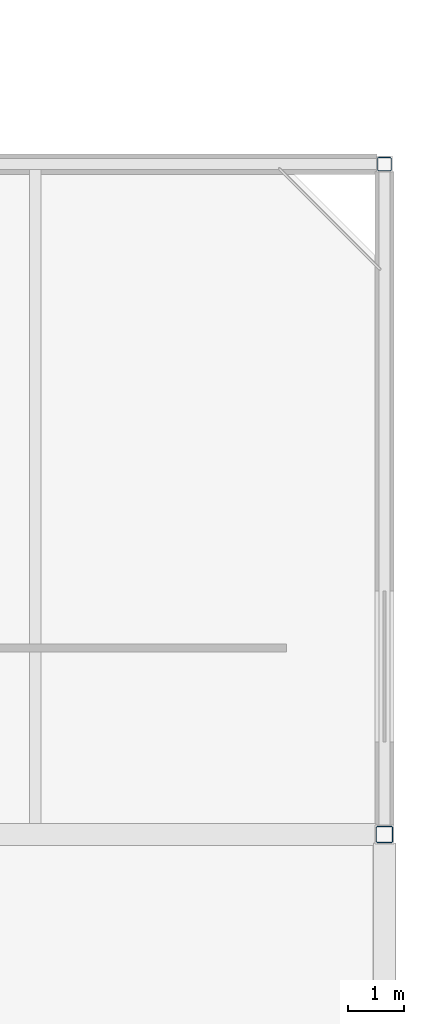
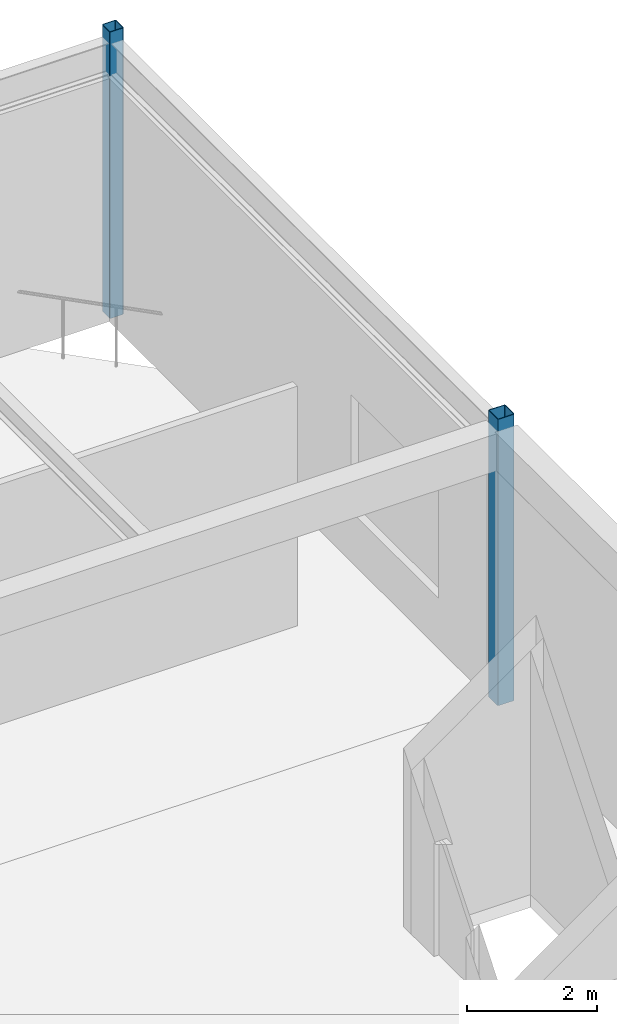
# One storey, part 25 of 105: 2 columns.
"""IFC4 building model written with IfcOpenShell, lengths in metres."""

from ifc_helpers import new_model, si_unit, direction, frame, origin, origin_2d, place, context, subcontext, project, spatial, hollow_rectangle, extrude, material, material_profile, profile_set, type_object, element, save


model = new_model("IFC4")

# Units and contexts
model_context = context("Model", 3, precision=1e-05, world=origin(), true_north=direction((0.0, 1.0)))
body_context = subcontext(model_context, "Body", "Model", "MODEL_VIEW")
ifc_project = project(units=[si_unit("LENGTHUNIT", "METRE"), si_unit("AREAUNIT", "SQUARE_METRE"), si_unit("VOLUMEUNIT", "CUBIC_METRE"), si_unit("PLANEANGLEUNIT", "RADIAN"), si_unit("MASSUNIT", "GRAM", prefix="KILO")], contexts=[model_context])

# Site, building, storey
site_placement = place(None, origin())
site = spatial("IfcSite", under=ifc_project, at=site_placement, CompositionType="ELEMENT")
building_placement = place(site_placement, origin())
building = spatial("IfcBuilding", under=site, at=building_placement, Name="Kazenohara Klinker Stadium", CompositionType="ELEMENT")
storey_placement = place(building_placement, frame((0.0, 0.0, 20.39990234375)))
storey = spatial("IfcBuildingStorey", under=building, at=storey_placement, Name="L04", CompositionType="ELEMENT", Elevation=20.39990234375)

# Columns
ifc_material = material(Name="Steel S355", Category="steel")
ifc_material_profile_1 = material_profile(ifc_material, hollow_rectangle(XDim=0.300048828125, YDim=0.300048828125, WallThickness=0.011962890625, InnerFilletRadius=0.011962890625, OuterFilletRadius=0.02392578125, at=origin_2d()), Name="SHS-300x300x12")
ifc_profile_set_1 = profile_set([ifc_material_profile_1], Name="Steel S355")
column_type_1 = type_object("IfcColumnType", Name="COL-ST03", PredefinedType="COLUMN", material=ifc_profile_set_1)
column_1_placement = place(storey_placement, frame((200.0, 144.0, 0.0), z_axis=(0.0, 0.0, 1.0), x_axis=(1.0, 0.0, 0.0)))
element("IfcColumn", 1, at=column_1_placement, inside=storey, type_object=column_type_1, Name="Column SC03 L04 17/N", PredefinedType="COLUMN", context=body_context, shape_type="SweptSolid", body=[
    extrude(hollow_rectangle(XDim=0.300048828125, YDim=0.300048828125, WallThickness=0.011962890625, InnerFilletRadius=0.011962890625, OuterFilletRadius=0.02392578125, at=origin_2d()), origin(), (0.0, 0.0, 1.0), 5.400146484375),
])
ifc_material_profile_2 = material_profile(ifc_material, hollow_rectangle(XDim=0.25, YDim=0.25, WallThickness=0.011962890625, InnerFilletRadius=0.011962890625, OuterFilletRadius=0.02392578125, at=origin_2d()), Name="SHS-250x250x12")
ifc_profile_set_2 = profile_set([ifc_material_profile_2], Name="Steel S355")
column_type_2 = type_object("IfcColumnType", Name="COL-ST04", PredefinedType="COLUMN", material=ifc_profile_set_2)
column_2_placement = place(storey_placement, frame((200.0, 156.0, 0.0), z_axis=(0.0, 0.0, 1.0), x_axis=(1.0, 0.0, 0.0)))
element("IfcColumn", 2, at=column_2_placement, inside=storey, type_object=column_type_2, Name="Column SC04 L04 17/P", PredefinedType="COLUMN", context=body_context, shape_type="SweptSolid", body=[
    extrude(hollow_rectangle(XDim=0.25, YDim=0.25, WallThickness=0.011962890625, InnerFilletRadius=0.011962890625, OuterFilletRadius=0.02392578125, at=origin_2d()), origin(), (0.0, 0.0, 1.0), 5.400146484375),
])

save(model, "model.ifc")
